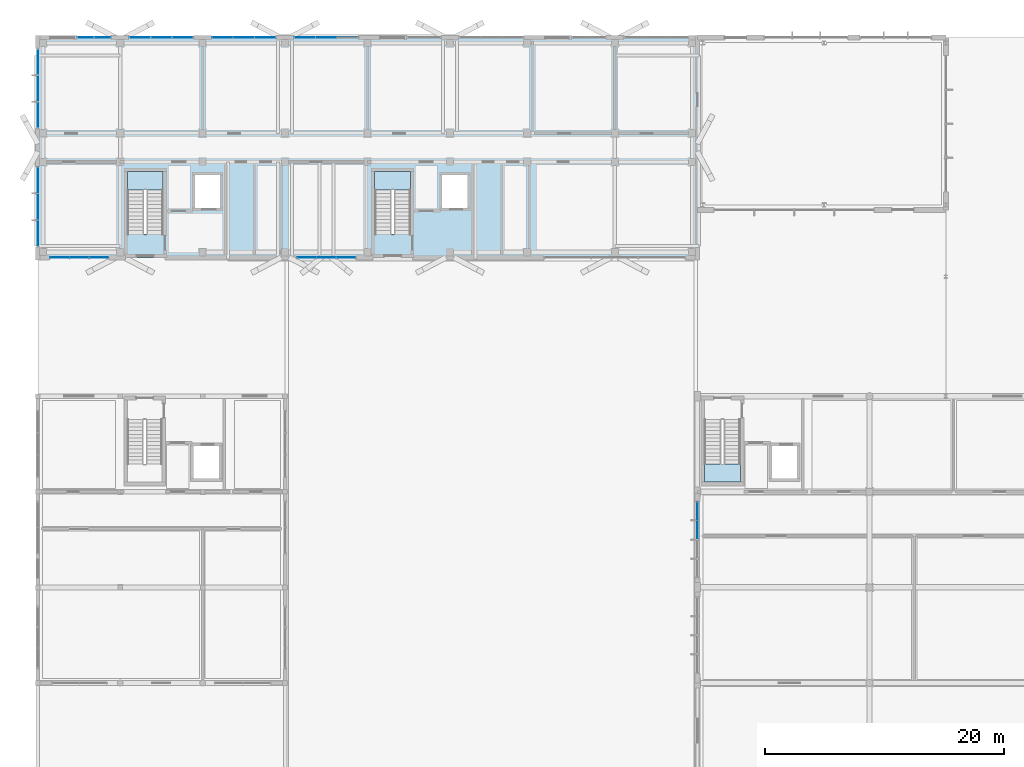
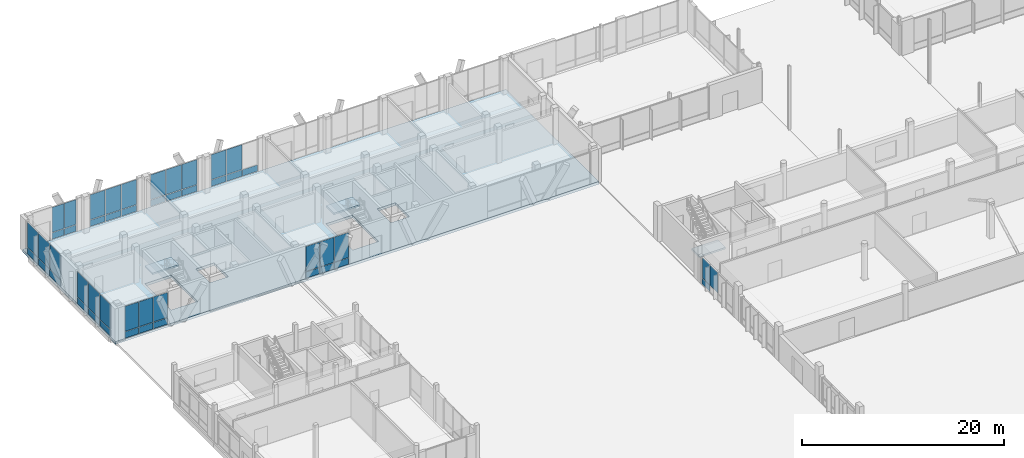
# One storey, part 182 of 233: 48 plates, 4 slabs, 12 elements without a shape of their own.
"""IFC4 building model written with IfcOpenShell, lengths in metres."""

from ifc_helpers import new_model, si_unit, direction, frame, origin, origin_2d, place, context, subcontext, project, spatial, polyline, rectangle, outline, extrude, material, layer, layer_set, type_object, element, aggregate, save


model = new_model("IFC4")

# Units and contexts
model_context = context("Model", 3, precision=1e-05, world=origin(), true_north=direction((0.0, 1.0)))
body_context = subcontext(model_context, "Body", "Model", "MODEL_VIEW")
ifc_project = project(units=[si_unit("LENGTHUNIT", "METRE"), si_unit("AREAUNIT", "SQUARE_METRE"), si_unit("VOLUMEUNIT", "CUBIC_METRE"), si_unit("PLANEANGLEUNIT", "RADIAN"), si_unit("MASSUNIT", "GRAM", prefix="KILO")], contexts=[model_context])

# Site, building, storey
site_placement = place(None, origin())
site = spatial("IfcSite", under=ifc_project, at=site_placement, CompositionType="ELEMENT")
building_placement = place(site_placement, origin())
building = spatial("IfcBuilding", under=site, at=building_placement, Name="Zavelmont Quarter", CompositionType="ELEMENT")
storey_placement = place(building_placement, origin())
storey = spatial("IfcBuildingStorey", under=building, at=storey_placement, Name="L00", CompositionType="ELEMENT", Elevation=0.0)

# Curtain wall, plates
ifc_material_1 = material(Name="Thermally broken aluminium and double low-E safety glazing", Category="aluminium")
curtain_wall_type_1 = type_object("IfcCurtainWallType", Name="CW-285X395", PredefinedType="NOTDEFINED", material=ifc_material_1)
curtain_wall_1_placement = place(storey_placement, origin())
curtain_wall_1 = element("IfcCurtainWall", 1, at=curtain_wall_1_placement, inside=storey, type_object=curtain_wall_type_1, Name="L00 unitised curtain wall CW-285X395", PredefinedType="NOTDEFINED")
ifc_material_2 = material(Name="Insulated anodised-aluminium spandrel panel", Category="aluminium")
ifc_layer_1 = layer(ifc_material_2, 0.0400390625)
ifc_layer_set_1 = layer_set([ifc_layer_1], Name="Insulated anodised-aluminium spandrel panel")
plate_type_1 = type_object("IfcPlateType", Name="CWP-SPD-1335X760", PredefinedType="CURTAIN_PANEL", material=ifc_layer_set_1)
plate_1_placement = place(storey_placement, frame((4.027587890625, 116.0, 0.06005859375), z_axis=(0.0, 0.0, 1.0), x_axis=(1.0, 0.0, 0.0)))
plate_1 = element("IfcPlate", 2, at=plate_1_placement, type_object=plate_type_1, Name="CW-285X395 panel 1.1", PredefinedType="CURTAIN_PANEL", context=body_context, shape_type="SweptSolid", body=[
    extrude(rectangle(XDim=1.3349609375, YDim=0.0400390625, at=origin_2d()), origin(), (0.0, 0.0, 1.0), 0.760009765625),
])
plate_2_placement = place(storey_placement, frame((5.422607421875, 116.0, 0.06005859375), z_axis=(0.0, 0.0, 1.0), x_axis=(1.0, 0.0, 0.0)))
plate_2 = element("IfcPlate", 3, at=plate_2_placement, type_object=plate_type_1, Name="CW-285X395 panel 2.1", PredefinedType="CURTAIN_PANEL", context=body_context, shape_type="SweptSolid", body=[
    extrude(rectangle(XDim=1.3349609375, YDim=0.0400390625, at=origin_2d()), origin(), (0.0, 0.0, 1.0), 0.760009765625),
])

# Curtain wall, plate
curtain_wall_type_2 = type_object("IfcCurtainWallType", Name="CW-640X336", PredefinedType="NOTDEFINED", material=ifc_material_1)
curtain_wall_2_placement = place(storey_placement, origin())
curtain_wall_2 = element("IfcCurtainWall", 4, at=curtain_wall_2_placement, inside=storey, type_object=curtain_wall_type_2, Name="L00 unitised curtain wall CW-640X336", PredefinedType="NOTDEFINED")
ifc_layer_2 = layer(ifc_material_2, 0.0400390625)
ifc_layer_set_2 = layer_set([ifc_layer_2], Name="Insulated anodised-aluminium spandrel panel")
plate_type_2 = type_object("IfcPlateType", Name="CWP-SPD-1495X700", PredefinedType="CURTAIN_PANEL", material=ifc_layer_set_2)
plate_3_placement = place(storey_placement, frame((55.199951171875, 76.382568359375, 0.06982421875), z_axis=(0.0, 0.0, 1.0), x_axis=(0.0, 1.0, 0.0)))
plate_3 = element("IfcPlate", 5, at=plate_3_placement, type_object=plate_type_2, Name="CW-640X336 panel 4.1", PredefinedType="CURTAIN_PANEL", context=body_context, shape_type="SweptSolid", body=[
    extrude(rectangle(XDim=1.4951171875, YDim=0.0400390625, at=origin_2d()), origin(), (0.0, 0.0, 1.0), 0.700927734375),
])

# Curtain wall, plates
curtain_wall_type_3 = type_object("IfcCurtainWallType", Name="CW-495X395", PredefinedType="NOTDEFINED", material=ifc_material_1)
curtain_wall_3_placement = place(storey_placement, origin())
curtain_wall_3 = element("IfcCurtainWall", 6, at=curtain_wall_3_placement, inside=storey, type_object=curtain_wall_type_3, Name="L00 unitised curtain wall CW-495X395", PredefinedType="NOTDEFINED")
ifc_layer_3 = layer(ifc_material_2, 0.0400390625)
ifc_layer_set_3 = layer_set([ifc_layer_3], Name="Insulated anodised-aluminium spandrel panel")
plate_type_3 = type_object("IfcPlateType", Name="CWP-SPD-1560X760", PredefinedType="CURTAIN_PANEL", material=ifc_layer_set_3)
plate_4_placement = place(storey_placement, frame((1.840087890625, 97.60009765625, 0.06005859375), z_axis=(0.0, 0.0, 1.0), x_axis=(1.0, 0.0, 0.0)))
plate_4 = element("IfcPlate", 7, at=plate_4_placement, type_object=plate_type_3, Name="CW-495X395 panel 1.1", PredefinedType="CURTAIN_PANEL", context=body_context, shape_type="SweptSolid", body=[
    extrude(rectangle(XDim=1.56005859375, YDim=0.0400390625, at=origin_2d()), origin(), (0.0, 0.0, 1.0), 0.760009765625),
])
plate_5_placement = place(storey_placement, frame((5.110107421875, 97.60009765625, 0.06005859375), z_axis=(0.0, 0.0, 1.0), x_axis=(1.0, 0.0, 0.0)))
plate_5 = element("IfcPlate", 8, at=plate_5_placement, type_object=plate_type_3, Name="CW-495X395 panel 3.1", PredefinedType="CURTAIN_PANEL", context=body_context, shape_type="SweptSolid", body=[
    extrude(rectangle(XDim=1.56005859375, YDim=0.0400390625, at=origin_2d()), origin(), (0.0, 0.0, 1.0), 0.760009765625),
])

curtain_wall_type_4 = type_object("IfcCurtainWallType", Name="CW-500X395", PredefinedType="NOTDEFINED", material=ifc_material_1)
curtain_wall_4_placement = place(storey_placement, origin())
curtain_wall_4 = element("IfcCurtainWall", 9, at=curtain_wall_4_placement, inside=storey, type_object=curtain_wall_type_4, Name="L00 unitised curtain wall CW-500X395", PredefinedType="NOTDEFINED")
ifc_layer_4 = layer(ifc_material_2, 0.0400390625)
ifc_layer_set_4 = layer_set([ifc_layer_4], Name="Insulated anodised-aluminium spandrel panel")
plate_type_4 = type_object("IfcPlateType", Name="CWP-SPD-1575X760", PredefinedType="CURTAIN_PANEL", material=ifc_layer_set_4)
plate_6_placement = place(storey_placement, frame((22.498291015625, 97.60009765625, 0.06005859375), z_axis=(0.0, 0.0, 1.0), x_axis=(1.0, 0.0, 0.0)))
plate_6 = element("IfcPlate", 10, at=plate_6_placement, type_object=plate_type_4, Name="CW-500X395 panel 1.1", PredefinedType="CURTAIN_PANEL", context=body_context, shape_type="SweptSolid", body=[
    extrude(rectangle(XDim=1.57666015625, YDim=0.0400390625, at=origin_2d()), origin(), (0.0, 0.0, 1.0), 0.760009765625),
])
plate_7_placement = place(storey_placement, frame((25.8017578125, 97.60009765625, 0.06005859375), z_axis=(0.0, 0.0, 1.0), x_axis=(1.0, 0.0, 0.0)))
plate_7 = element("IfcPlate", 11, at=plate_7_placement, type_object=plate_type_4, Name="CW-500X395 panel 3.1", PredefinedType="CURTAIN_PANEL", context=body_context, shape_type="SweptSolid", body=[
    extrude(rectangle(XDim=1.57666015625, YDim=0.0400390625, at=origin_2d()), origin(), (0.0, 0.0, 1.0), 0.760009765625),
])

# Plate
ifc_layer_5 = layer(ifc_material_2, 0.0400390625)
ifc_layer_set_5 = layer_set([ifc_layer_5], Name="Insulated anodised-aluminium spandrel panel")
plate_type_5 = type_object("IfcPlateType", Name="CWP-SPD-1590X760", PredefinedType="CURTAIN_PANEL", material=ifc_layer_set_5)
plate_8_placement = place(storey_placement, frame((3.47509765625, 97.60009765625, 0.06005859375), z_axis=(0.0, 0.0, 1.0), x_axis=(1.0, 0.0, 0.0)))
plate_8 = element("IfcPlate", 12, at=plate_8_placement, type_object=plate_type_5, Name="CW-495X395 panel 2.1", PredefinedType="CURTAIN_PANEL", context=body_context, shape_type="SweptSolid", body=[
    extrude(rectangle(XDim=1.590087890625, YDim=0.0400390625, at=origin_2d()), origin(), (0.0, 0.0, 1.0), 0.760009765625),
])

ifc_layer_6 = layer(ifc_material_2, 0.0400390625)
ifc_layer_set_6 = layer_set([ifc_layer_6], Name="Insulated anodised-aluminium spandrel panel")
plate_type_6 = type_object("IfcPlateType", Name="CWP-SPD-1605X760", PredefinedType="CURTAIN_PANEL", material=ifc_layer_set_6)
plate_9_placement = place(storey_placement, frame((24.14990234375, 97.60009765625, 0.06005859375), z_axis=(0.0, 0.0, 1.0), x_axis=(1.0, 0.0, 0.0)))
plate_9 = element("IfcPlate", 13, at=plate_9_placement, type_object=plate_type_6, Name="CW-500X395 panel 2.1", PredefinedType="CURTAIN_PANEL", context=body_context, shape_type="SweptSolid", body=[
    extrude(rectangle(XDim=1.606689453125, YDim=0.0400390625, at=origin_2d()), origin(), (0.0, 0.0, 1.0), 0.760009765625),
])

# Curtain wall, plates
curtain_wall_type_5 = type_object("IfcCurtainWallType", Name="CW-540X395", PredefinedType="NOTDEFINED", material=ifc_material_1)
curtain_wall_5_placement = place(storey_placement, origin())
curtain_wall_5 = element("IfcCurtainWall", 14, at=curtain_wall_5_placement, inside=storey, type_object=curtain_wall_type_5, Name="L00 unitised curtain wall CW-540X395", PredefinedType="NOTDEFINED")
ifc_layer_7 = layer(ifc_material_2, 0.0400390625)
ifc_layer_set_7 = layer_set([ifc_layer_7], Name="Insulated anodised-aluminium spandrel panel")
plate_type_7 = type_object("IfcPlateType", Name="CWP-SPD-1710X760", PredefinedType="CURTAIN_PANEL", material=ifc_layer_set_7)
plate_10_placement = place(storey_placement, frame((8.56494140625, 116.0, 0.06005859375), z_axis=(0.0, 0.0, 1.0), x_axis=(1.0, 0.0, 0.0)))
plate_10 = element("IfcPlate", 15, at=plate_10_placement, type_object=plate_type_7, Name="CW-540X395 panel 1.1", PredefinedType="CURTAIN_PANEL", context=body_context, shape_type="SweptSolid", body=[
    extrude(rectangle(XDim=1.7099609375, YDim=0.0400390625, at=origin_2d()), origin(), (0.0, 0.0, 1.0), 0.760009765625),
])
plate_11_placement = place(storey_placement, frame((12.135009765625, 116.0, 0.06005859375), z_axis=(0.0, 0.0, 1.0), x_axis=(1.0, 0.0, 0.0)))
plate_11 = element("IfcPlate", 16, at=plate_11_placement, type_object=plate_type_7, Name="CW-540X395 panel 3.1", PredefinedType="CURTAIN_PANEL", context=body_context, shape_type="SweptSolid", body=[
    extrude(rectangle(XDim=1.7099609375, YDim=0.0400390625, at=origin_2d()), origin(), (0.0, 0.0, 1.0), 0.760009765625),
])

curtain_wall_6_placement = place(storey_placement, origin())
curtain_wall_6 = element("IfcCurtainWall", 17, at=curtain_wall_6_placement, inside=storey, type_object=curtain_wall_type_5, Name="L00 unitised curtain wall CW-540X395", PredefinedType="NOTDEFINED")
plate_12_placement = place(storey_placement, frame((15.465087890625, 116.0, 0.06005859375), z_axis=(0.0, 0.0, 1.0), x_axis=(1.0, 0.0, 0.0)))
plate_12 = element("IfcPlate", 18, at=plate_12_placement, type_object=plate_type_7, Name="CW-540X395 panel 1.1", PredefinedType="CURTAIN_PANEL", context=body_context, shape_type="SweptSolid", body=[
    extrude(rectangle(XDim=1.7099609375, YDim=0.0400390625, at=origin_2d()), origin(), (0.0, 0.0, 1.0), 0.760009765625),
])
plate_13_placement = place(storey_placement, frame((19.034912109375, 116.0, 0.06005859375), z_axis=(0.0, 0.0, 1.0), x_axis=(1.0, 0.0, 0.0)))
plate_13 = element("IfcPlate", 19, at=plate_13_placement, type_object=plate_type_7, Name="CW-540X395 panel 3.1", PredefinedType="CURTAIN_PANEL", context=body_context, shape_type="SweptSolid", body=[
    extrude(rectangle(XDim=1.7099609375, YDim=0.0400390625, at=origin_2d()), origin(), (0.0, 0.0, 1.0), 0.760009765625),
])

curtain_wall_7_placement = place(storey_placement, origin())
curtain_wall_7 = element("IfcCurtainWall", 20, at=curtain_wall_7_placement, inside=storey, type_object=curtain_wall_type_5, Name="L00 unitised curtain wall CW-540X395", PredefinedType="NOTDEFINED")
plate_14_placement = place(storey_placement, frame((22.364990234375, 116.0, 0.06005859375), z_axis=(0.0, 0.0, 1.0), x_axis=(1.0, 0.0, 0.0)))
plate_14 = element("IfcPlate", 21, at=plate_14_placement, type_object=plate_type_7, Name="CW-540X395 panel 1.1", PredefinedType="CURTAIN_PANEL", context=body_context, shape_type="SweptSolid", body=[
    extrude(rectangle(XDim=1.7099609375, YDim=0.0400390625, at=origin_2d()), origin(), (0.0, 0.0, 1.0), 0.760009765625),
])
plate_15_placement = place(storey_placement, frame((25.93505859375, 116.0, 0.06005859375), z_axis=(0.0, 0.0, 1.0), x_axis=(1.0, 0.0, 0.0)))
plate_15 = element("IfcPlate", 22, at=plate_15_placement, type_object=plate_type_7, Name="CW-540X395 panel 3.1", PredefinedType="CURTAIN_PANEL", context=body_context, shape_type="SweptSolid", body=[
    extrude(rectangle(XDim=1.7099609375, YDim=0.0400390625, at=origin_2d()), origin(), (0.0, 0.0, 1.0), 0.760009765625),
])

# Plate
ifc_layer_8 = layer(ifc_material_2, 0.0400390625)
ifc_layer_set_8 = layer_set([ifc_layer_8], Name="Insulated anodised-aluminium spandrel panel")
plate_type_8 = type_object("IfcPlateType", Name="CWP-SPD-1740X760", PredefinedType="CURTAIN_PANEL", material=ifc_layer_set_8)
plate_16_placement = place(storey_placement, frame((10.35009765625, 116.0, 0.06005859375), z_axis=(0.0, 0.0, 1.0), x_axis=(1.0, 0.0, 0.0)))
plate_16 = element("IfcPlate", 23, at=plate_16_placement, type_object=plate_type_8, Name="CW-540X395 panel 2.1", PredefinedType="CURTAIN_PANEL", context=body_context, shape_type="SweptSolid", body=[
    extrude(rectangle(XDim=1.739990234375, YDim=0.0400390625, at=origin_2d()), origin(), (0.0, 0.0, 1.0), 0.760009765625),
])

plate_17_placement = place(storey_placement, frame((17.25, 116.0, 0.06005859375), z_axis=(0.0, 0.0, 1.0), x_axis=(1.0, 0.0, 0.0)))
plate_17 = element("IfcPlate", 24, at=plate_17_placement, type_object=plate_type_8, Name="CW-540X395 panel 2.1", PredefinedType="CURTAIN_PANEL", context=body_context, shape_type="SweptSolid", body=[
    extrude(rectangle(XDim=1.739990234375, YDim=0.0400390625, at=origin_2d()), origin(), (0.0, 0.0, 1.0), 0.760009765625),
])

plate_18_placement = place(storey_placement, frame((24.14990234375, 116.0, 0.06005859375), z_axis=(0.0, 0.0, 1.0), x_axis=(1.0, 0.0, 0.0)))
plate_18 = element("IfcPlate", 25, at=plate_18_placement, type_object=plate_type_8, Name="CW-540X395 panel 2.1", PredefinedType="CURTAIN_PANEL", context=body_context, shape_type="SweptSolid", body=[
    extrude(rectangle(XDim=1.739990234375, YDim=0.0400390625, at=origin_2d()), origin(), (0.0, 0.0, 1.0), 0.760009765625),
])

# Curtain wall, plates
curtain_wall_type_6 = type_object("IfcCurtainWallType", Name="CW-670X395", PredefinedType="NOTDEFINED", material=ifc_material_1)
curtain_wall_8_placement = place(storey_placement, origin())
curtain_wall_8 = element("IfcCurtainWall", 26, at=curtain_wall_8_placement, inside=storey, type_object=curtain_wall_type_6, Name="L00 unitised curtain wall CW-670X395", PredefinedType="NOTDEFINED")
ifc_layer_9 = layer(ifc_material_2, 0.0400390625)
ifc_layer_set_9 = layer_set([ifc_layer_9], Name="Insulated anodised-aluminium spandrel panel")
plate_type_9 = type_object("IfcPlateType", Name="CWP-SPD-2145X760", PredefinedType="CURTAIN_PANEL", material=ifc_layer_set_9)
plate_19_placement = place(storey_placement, frame((0.0, 99.631591796875, 0.06005859375), z_axis=(0.0, 0.0, 1.0), x_axis=(0.0, 1.0, 0.0)))
plate_19 = element("IfcPlate", 27, at=plate_19_placement, type_object=plate_type_9, Name="CW-670X395 panel 1.1", PredefinedType="CURTAIN_PANEL", context=body_context, shape_type="SweptSolid", body=[
    extrude(rectangle(XDim=2.143310546875, YDim=0.0400390625, at=origin_2d()), origin(), (0.0, 0.0, 1.0), 0.760009765625),
])
plate_20_placement = place(storey_placement, frame((0.0, 104.068359375, 0.06005859375), z_axis=(0.0, 0.0, 1.0), x_axis=(0.0, 1.0, 0.0)))
plate_20 = element("IfcPlate", 28, at=plate_20_placement, type_object=plate_type_9, Name="CW-670X395 panel 3.1", PredefinedType="CURTAIN_PANEL", context=body_context, shape_type="SweptSolid", body=[
    extrude(rectangle(XDim=2.143310546875, YDim=0.0400390625, at=origin_2d()), origin(), (0.0, 0.0, 1.0), 0.760009765625),
])

curtain_wall_9_placement = place(storey_placement, origin())
curtain_wall_9 = element("IfcCurtainWall", 29, at=curtain_wall_9_placement, inside=storey, type_object=curtain_wall_type_6, Name="L00 unitised curtain wall CW-670X395", PredefinedType="NOTDEFINED")
plate_21_placement = place(storey_placement, frame((0.0, 109.53173828125, 0.06005859375), z_axis=(0.0, 0.0, 1.0), x_axis=(0.0, 1.0, 0.0)))
plate_21 = element("IfcPlate", 30, at=plate_21_placement, type_object=plate_type_9, Name="CW-670X395 panel 1.1", PredefinedType="CURTAIN_PANEL", context=body_context, shape_type="SweptSolid", body=[
    extrude(rectangle(XDim=2.143310546875, YDim=0.0400390625, at=origin_2d()), origin(), (0.0, 0.0, 1.0), 0.760009765625),
])
plate_22_placement = place(storey_placement, frame((0.0, 113.96826171875, 0.06005859375), z_axis=(0.0, 0.0, 1.0), x_axis=(0.0, 1.0, 0.0)))
plate_22 = element("IfcPlate", 31, at=plate_22_placement, type_object=plate_type_9, Name="CW-670X395 panel 3.1", PredefinedType="CURTAIN_PANEL", context=body_context, shape_type="SweptSolid", body=[
    extrude(rectangle(XDim=2.143310546875, YDim=0.0400390625, at=origin_2d()), origin(), (0.0, 0.0, 1.0), 0.760009765625),
])

# Plate
ifc_layer_10 = layer(ifc_material_2, 0.0400390625)
ifc_layer_set_10 = layer_set([ifc_layer_10], Name="Insulated anodised-aluminium spandrel panel")
plate_type_10 = type_object("IfcPlateType", Name="CWP-SPD-2175X760", PredefinedType="CURTAIN_PANEL", material=ifc_layer_set_10)
plate_23_placement = place(storey_placement, frame((0.0, 101.85009765625, 0.06005859375), z_axis=(0.0, 0.0, 1.0), x_axis=(0.0, 1.0, 0.0)))
plate_23 = element("IfcPlate", 32, at=plate_23_placement, type_object=plate_type_10, Name="CW-670X395 panel 2.1", PredefinedType="CURTAIN_PANEL", context=body_context, shape_type="SweptSolid", body=[
    extrude(rectangle(XDim=2.17333984375, YDim=0.0400390625, at=origin_2d()), origin(), (0.0, 0.0, 1.0), 0.760009765625),
])

plate_24_placement = place(storey_placement, frame((0.0, 111.75, 0.06005859375), z_axis=(0.0, 0.0, 1.0), x_axis=(0.0, 1.0, 0.0)))
plate_24 = element("IfcPlate", 33, at=plate_24_placement, type_object=plate_type_10, Name="CW-670X395 panel 2.1", PredefinedType="CURTAIN_PANEL", context=body_context, shape_type="SweptSolid", body=[
    extrude(rectangle(XDim=2.17333984375, YDim=0.0400390625, at=origin_2d()), origin(), (0.0, 0.0, 1.0), 0.760009765625),
])

ifc_material_3 = material(Name="Double low-E insulated vision glass", Category="glass")
ifc_layer_11 = layer(ifc_material_3, 0.028076171875)
ifc_layer_set_11 = layer_set([ifc_layer_11], Name="Double low-E insulated vision glass")
plate_type_11 = type_object("IfcPlateType", Name="CWP-VIS-1335X3010", PredefinedType="CURTAIN_PANEL", material=ifc_layer_set_11)
plate_25_placement = place(storey_placement, frame((4.027587890625, 116.0, 0.8798828125), z_axis=(0.0, 0.0, 1.0), x_axis=(1.0, 0.0, 0.0)))
plate_25 = element("IfcPlate", 34, at=plate_25_placement, type_object=plate_type_11, Name="CW-285X395 panel 1.2", PredefinedType="CURTAIN_PANEL", context=body_context, shape_type="SweptSolid", body=[
    extrude(rectangle(XDim=1.3349609375, YDim=0.028076171875, at=origin_2d()), origin(), (0.0, 0.0, 1.0), 3.010009765625),
])

plate_26_placement = place(storey_placement, frame((5.422607421875, 116.0, 0.8798828125), z_axis=(0.0, 0.0, 1.0), x_axis=(1.0, 0.0, 0.0)))
plate_26 = element("IfcPlate", 35, at=plate_26_placement, type_object=plate_type_11, Name="CW-285X395 panel 2.2", PredefinedType="CURTAIN_PANEL", context=body_context, shape_type="SweptSolid", body=[
    extrude(rectangle(XDim=1.3349609375, YDim=0.028076171875, at=origin_2d()), origin(), (0.0, 0.0, 1.0), 3.010009765625),
])

aggregate(curtain_wall_1, [plate_1, plate_25, plate_2, plate_26])

ifc_layer_12 = layer(ifc_material_3, 0.028076171875)
ifc_layer_set_12 = layer_set([ifc_layer_12], Name="Double low-E insulated vision glass")
plate_type_12 = type_object("IfcPlateType", Name="CWP-VIS-1495X2450", PredefinedType="CURTAIN_PANEL", material=ifc_layer_set_12)
plate_27_placement = place(storey_placement, frame((55.199951171875, 76.382568359375, 0.8408203125), z_axis=(0.0, 0.0, 1.0), x_axis=(0.0, 1.0, 0.0)))
plate_27 = element("IfcPlate", 36, at=plate_27_placement, type_object=plate_type_12, Name="CW-640X336 panel 4.2", PredefinedType="CURTAIN_PANEL", context=body_context, shape_type="SweptSolid", body=[
    extrude(rectangle(XDim=1.4951171875, YDim=0.028076171875, at=origin_2d()), origin(), (0.0, 0.0, 1.0), 2.448974609375),
])

ifc_layer_13 = layer(ifc_material_3, 0.028076171875)
ifc_layer_set_13 = layer_set([ifc_layer_13], Name="Double low-E insulated vision glass")
plate_type_13 = type_object("IfcPlateType", Name="CWP-VIS-1530X2450", PredefinedType="CURTAIN_PANEL", material=ifc_layer_set_13)
plate_28_placement = place(storey_placement, frame((55.199951171875, 74.800048828125, 0.8408203125), z_axis=(0.0, 0.0, 1.0), x_axis=(0.0, 1.0, 0.0)))
plate_28 = element("IfcPlate", 37, at=plate_28_placement, type_object=plate_type_13, Name="CW-640X336 panel 3.2", PredefinedType="CURTAIN_PANEL", context=body_context, shape_type="SweptSolid", body=[
    extrude(rectangle(XDim=1.530029296875, YDim=0.028076171875, at=origin_2d()), origin(), (0.0, 0.0, 1.0), 2.448974609375),
])

aggregate(curtain_wall_2, [plate_28, plate_3, plate_27])

ifc_layer_14 = layer(ifc_material_3, 0.028076171875)
ifc_layer_set_14 = layer_set([ifc_layer_14], Name="Double low-E insulated vision glass")
plate_type_14 = type_object("IfcPlateType", Name="CWP-VIS-1560X3010", PredefinedType="CURTAIN_PANEL", material=ifc_layer_set_14)
plate_29_placement = place(storey_placement, frame((1.840087890625, 97.60009765625, 0.8798828125), z_axis=(0.0, 0.0, 1.0), x_axis=(1.0, 0.0, 0.0)))
plate_29 = element("IfcPlate", 38, at=plate_29_placement, type_object=plate_type_14, Name="CW-495X395 panel 1.2", PredefinedType="CURTAIN_PANEL", context=body_context, shape_type="SweptSolid", body=[
    extrude(rectangle(XDim=1.56005859375, YDim=0.028076171875, at=origin_2d()), origin(), (0.0, 0.0, 1.0), 3.010009765625),
])

plate_30_placement = place(storey_placement, frame((5.110107421875, 97.60009765625, 0.8798828125), z_axis=(0.0, 0.0, 1.0), x_axis=(1.0, 0.0, 0.0)))
plate_30 = element("IfcPlate", 39, at=plate_30_placement, type_object=plate_type_14, Name="CW-495X395 panel 3.2", PredefinedType="CURTAIN_PANEL", context=body_context, shape_type="SweptSolid", body=[
    extrude(rectangle(XDim=1.56005859375, YDim=0.028076171875, at=origin_2d()), origin(), (0.0, 0.0, 1.0), 3.010009765625),
])

ifc_layer_15 = layer(ifc_material_3, 0.028076171875)
ifc_layer_set_15 = layer_set([ifc_layer_15], Name="Double low-E insulated vision glass")
plate_type_15 = type_object("IfcPlateType", Name="CWP-VIS-1575X3010", PredefinedType="CURTAIN_PANEL", material=ifc_layer_set_15)
plate_31_placement = place(storey_placement, frame((22.498291015625, 97.60009765625, 0.8798828125), z_axis=(0.0, 0.0, 1.0), x_axis=(1.0, 0.0, 0.0)))
plate_31 = element("IfcPlate", 40, at=plate_31_placement, type_object=plate_type_15, Name="CW-500X395 panel 1.2", PredefinedType="CURTAIN_PANEL", context=body_context, shape_type="SweptSolid", body=[
    extrude(rectangle(XDim=1.57666015625, YDim=0.028076171875, at=origin_2d()), origin(), (0.0, 0.0, 1.0), 3.010009765625),
])

plate_32_placement = place(storey_placement, frame((25.8017578125, 97.60009765625, 0.8798828125), z_axis=(0.0, 0.0, 1.0), x_axis=(1.0, 0.0, 0.0)))
plate_32 = element("IfcPlate", 41, at=plate_32_placement, type_object=plate_type_15, Name="CW-500X395 panel 3.2", PredefinedType="CURTAIN_PANEL", context=body_context, shape_type="SweptSolid", body=[
    extrude(rectangle(XDim=1.57666015625, YDim=0.028076171875, at=origin_2d()), origin(), (0.0, 0.0, 1.0), 3.010009765625),
])

ifc_layer_16 = layer(ifc_material_3, 0.028076171875)
ifc_layer_set_16 = layer_set([ifc_layer_16], Name="Double low-E insulated vision glass")
plate_type_16 = type_object("IfcPlateType", Name="CWP-VIS-1590X3010", PredefinedType="CURTAIN_PANEL", material=ifc_layer_set_16)
plate_33_placement = place(storey_placement, frame((3.47509765625, 97.60009765625, 0.8798828125), z_axis=(0.0, 0.0, 1.0), x_axis=(1.0, 0.0, 0.0)))
plate_33 = element("IfcPlate", 42, at=plate_33_placement, type_object=plate_type_16, Name="CW-495X395 panel 2.2", PredefinedType="CURTAIN_PANEL", context=body_context, shape_type="SweptSolid", body=[
    extrude(rectangle(XDim=1.590087890625, YDim=0.028076171875, at=origin_2d()), origin(), (0.0, 0.0, 1.0), 3.010009765625),
])

aggregate(curtain_wall_3, [plate_4, plate_29, plate_8, plate_33, plate_5, plate_30])

ifc_layer_17 = layer(ifc_material_3, 0.028076171875)
ifc_layer_set_17 = layer_set([ifc_layer_17], Name="Double low-E insulated vision glass")
plate_type_17 = type_object("IfcPlateType", Name="CWP-VIS-1605X3010", PredefinedType="CURTAIN_PANEL", material=ifc_layer_set_17)
plate_34_placement = place(storey_placement, frame((24.14990234375, 97.60009765625, 0.8798828125), z_axis=(0.0, 0.0, 1.0), x_axis=(1.0, 0.0, 0.0)))
plate_34 = element("IfcPlate", 43, at=plate_34_placement, type_object=plate_type_17, Name="CW-500X395 panel 2.2", PredefinedType="CURTAIN_PANEL", context=body_context, shape_type="SweptSolid", body=[
    extrude(rectangle(XDim=1.606689453125, YDim=0.028076171875, at=origin_2d()), origin(), (0.0, 0.0, 1.0), 3.010009765625),
])

aggregate(curtain_wall_4, [plate_6, plate_31, plate_9, plate_34, plate_7, plate_32])

ifc_layer_18 = layer(ifc_material_3, 0.028076171875)
ifc_layer_set_18 = layer_set([ifc_layer_18], Name="Double low-E insulated vision glass")
plate_type_18 = type_object("IfcPlateType", Name="CWP-VIS-1710X3010", PredefinedType="CURTAIN_PANEL", material=ifc_layer_set_18)
plate_35_placement = place(storey_placement, frame((8.56494140625, 116.0, 0.8798828125), z_axis=(0.0, 0.0, 1.0), x_axis=(1.0, 0.0, 0.0)))
plate_35 = element("IfcPlate", 44, at=plate_35_placement, type_object=plate_type_18, Name="CW-540X395 panel 1.2", PredefinedType="CURTAIN_PANEL", context=body_context, shape_type="SweptSolid", body=[
    extrude(rectangle(XDim=1.7099609375, YDim=0.028076171875, at=origin_2d()), origin(), (0.0, 0.0, 1.0), 3.010009765625),
])

plate_36_placement = place(storey_placement, frame((12.135009765625, 116.0, 0.8798828125), z_axis=(0.0, 0.0, 1.0), x_axis=(1.0, 0.0, 0.0)))
plate_36 = element("IfcPlate", 45, at=plate_36_placement, type_object=plate_type_18, Name="CW-540X395 panel 3.2", PredefinedType="CURTAIN_PANEL", context=body_context, shape_type="SweptSolid", body=[
    extrude(rectangle(XDim=1.7099609375, YDim=0.028076171875, at=origin_2d()), origin(), (0.0, 0.0, 1.0), 3.010009765625),
])

plate_37_placement = place(storey_placement, frame((15.465087890625, 116.0, 0.8798828125), z_axis=(0.0, 0.0, 1.0), x_axis=(1.0, 0.0, 0.0)))
plate_37 = element("IfcPlate", 46, at=plate_37_placement, type_object=plate_type_18, Name="CW-540X395 panel 1.2", PredefinedType="CURTAIN_PANEL", context=body_context, shape_type="SweptSolid", body=[
    extrude(rectangle(XDim=1.7099609375, YDim=0.028076171875, at=origin_2d()), origin(), (0.0, 0.0, 1.0), 3.010009765625),
])

plate_38_placement = place(storey_placement, frame((19.034912109375, 116.0, 0.8798828125), z_axis=(0.0, 0.0, 1.0), x_axis=(1.0, 0.0, 0.0)))
plate_38 = element("IfcPlate", 47, at=plate_38_placement, type_object=plate_type_18, Name="CW-540X395 panel 3.2", PredefinedType="CURTAIN_PANEL", context=body_context, shape_type="SweptSolid", body=[
    extrude(rectangle(XDim=1.7099609375, YDim=0.028076171875, at=origin_2d()), origin(), (0.0, 0.0, 1.0), 3.010009765625),
])

plate_39_placement = place(storey_placement, frame((22.364990234375, 116.0, 0.8798828125), z_axis=(0.0, 0.0, 1.0), x_axis=(1.0, 0.0, 0.0)))
plate_39 = element("IfcPlate", 48, at=plate_39_placement, type_object=plate_type_18, Name="CW-540X395 panel 1.2", PredefinedType="CURTAIN_PANEL", context=body_context, shape_type="SweptSolid", body=[
    extrude(rectangle(XDim=1.7099609375, YDim=0.028076171875, at=origin_2d()), origin(), (0.0, 0.0, 1.0), 3.010009765625),
])

ifc_layer_19 = layer(ifc_material_3, 0.028076171875)
ifc_layer_set_19 = layer_set([ifc_layer_19], Name="Double low-E insulated vision glass")
plate_type_19 = type_object("IfcPlateType", Name="CWP-VIS-1740X3010", PredefinedType="CURTAIN_PANEL", material=ifc_layer_set_19)
plate_40_placement = place(storey_placement, frame((10.35009765625, 116.0, 0.8798828125), z_axis=(0.0, 0.0, 1.0), x_axis=(1.0, 0.0, 0.0)))
plate_40 = element("IfcPlate", 49, at=plate_40_placement, type_object=plate_type_19, Name="CW-540X395 panel 2.2", PredefinedType="CURTAIN_PANEL", context=body_context, shape_type="SweptSolid", body=[
    extrude(rectangle(XDim=1.739990234375, YDim=0.028076171875, at=origin_2d()), origin(), (0.0, 0.0, 1.0), 3.010009765625),
])

aggregate(curtain_wall_5, [plate_10, plate_35, plate_16, plate_40, plate_11, plate_36])

plate_41_placement = place(storey_placement, frame((17.25, 116.0, 0.8798828125), z_axis=(0.0, 0.0, 1.0), x_axis=(1.0, 0.0, 0.0)))
plate_41 = element("IfcPlate", 50, at=plate_41_placement, type_object=plate_type_19, Name="CW-540X395 panel 2.2", PredefinedType="CURTAIN_PANEL", context=body_context, shape_type="SweptSolid", body=[
    extrude(rectangle(XDim=1.739990234375, YDim=0.028076171875, at=origin_2d()), origin(), (0.0, 0.0, 1.0), 3.010009765625),
])

aggregate(curtain_wall_6, [plate_12, plate_37, plate_17, plate_41, plate_13, plate_38])

plate_42_placement = place(storey_placement, frame((24.14990234375, 116.0, 0.8798828125), z_axis=(0.0, 0.0, 1.0), x_axis=(1.0, 0.0, 0.0)))
plate_42 = element("IfcPlate", 51, at=plate_42_placement, type_object=plate_type_19, Name="CW-540X395 panel 2.2", PredefinedType="CURTAIN_PANEL", context=body_context, shape_type="SweptSolid", body=[
    extrude(rectangle(XDim=1.739990234375, YDim=0.028076171875, at=origin_2d()), origin(), (0.0, 0.0, 1.0), 3.010009765625),
])

aggregate(curtain_wall_7, [plate_14, plate_39, plate_18, plate_42, plate_15])

ifc_layer_20 = layer(ifc_material_3, 0.028076171875)
ifc_layer_set_20 = layer_set([ifc_layer_20], Name="Double low-E insulated vision glass")
plate_type_20 = type_object("IfcPlateType", Name="CWP-VIS-2145X3010", PredefinedType="CURTAIN_PANEL", material=ifc_layer_set_20)
plate_43_placement = place(storey_placement, frame((0.0, 99.631591796875, 0.8798828125), z_axis=(0.0, 0.0, 1.0), x_axis=(0.0, 1.0, 0.0)))
plate_43 = element("IfcPlate", 52, at=plate_43_placement, type_object=plate_type_20, Name="CW-670X395 panel 1.2", PredefinedType="CURTAIN_PANEL", context=body_context, shape_type="SweptSolid", body=[
    extrude(rectangle(XDim=2.143310546875, YDim=0.028076171875, at=origin_2d()), origin(), (0.0, 0.0, 1.0), 3.010009765625),
])

plate_44_placement = place(storey_placement, frame((0.0, 104.068359375, 0.8798828125), z_axis=(0.0, 0.0, 1.0), x_axis=(0.0, 1.0, 0.0)))
plate_44 = element("IfcPlate", 53, at=plate_44_placement, type_object=plate_type_20, Name="CW-670X395 panel 3.2", PredefinedType="CURTAIN_PANEL", context=body_context, shape_type="SweptSolid", body=[
    extrude(rectangle(XDim=2.143310546875, YDim=0.028076171875, at=origin_2d()), origin(), (0.0, 0.0, 1.0), 3.010009765625),
])

plate_45_placement = place(storey_placement, frame((0.0, 109.53173828125, 0.8798828125), z_axis=(0.0, 0.0, 1.0), x_axis=(0.0, 1.0, 0.0)))
plate_45 = element("IfcPlate", 54, at=plate_45_placement, type_object=plate_type_20, Name="CW-670X395 panel 1.2", PredefinedType="CURTAIN_PANEL", context=body_context, shape_type="SweptSolid", body=[
    extrude(rectangle(XDim=2.143310546875, YDim=0.028076171875, at=origin_2d()), origin(), (0.0, 0.0, 1.0), 3.010009765625),
])

plate_46_placement = place(storey_placement, frame((0.0, 113.96826171875, 0.8798828125), z_axis=(0.0, 0.0, 1.0), x_axis=(0.0, 1.0, 0.0)))
plate_46 = element("IfcPlate", 55, at=plate_46_placement, type_object=plate_type_20, Name="CW-670X395 panel 3.2", PredefinedType="CURTAIN_PANEL", context=body_context, shape_type="SweptSolid", body=[
    extrude(rectangle(XDim=2.143310546875, YDim=0.028076171875, at=origin_2d()), origin(), (0.0, 0.0, 1.0), 3.010009765625),
])

ifc_layer_21 = layer(ifc_material_3, 0.028076171875)
ifc_layer_set_21 = layer_set([ifc_layer_21], Name="Double low-E insulated vision glass")
plate_type_21 = type_object("IfcPlateType", Name="CWP-VIS-2175X3010", PredefinedType="CURTAIN_PANEL", material=ifc_layer_set_21)
plate_47_placement = place(storey_placement, frame((0.0, 101.85009765625, 0.8798828125), z_axis=(0.0, 0.0, 1.0), x_axis=(0.0, 1.0, 0.0)))
plate_47 = element("IfcPlate", 56, at=plate_47_placement, type_object=plate_type_21, Name="CW-670X395 panel 2.2", PredefinedType="CURTAIN_PANEL", context=body_context, shape_type="SweptSolid", body=[
    extrude(rectangle(XDim=2.17333984375, YDim=0.028076171875, at=origin_2d()), origin(), (0.0, 0.0, 1.0), 3.010009765625),
])

aggregate(curtain_wall_8, [plate_19, plate_43, plate_23, plate_47, plate_20, plate_44])

plate_48_placement = place(storey_placement, frame((0.0, 111.75, 0.8798828125), z_axis=(0.0, 0.0, 1.0), x_axis=(0.0, 1.0, 0.0)))
plate_48 = element("IfcPlate", 57, at=plate_48_placement, type_object=plate_type_21, Name="CW-670X395 panel 2.2", PredefinedType="CURTAIN_PANEL", context=body_context, shape_type="SweptSolid", body=[
    extrude(rectangle(XDim=2.17333984375, YDim=0.028076171875, at=origin_2d()), origin(), (0.0, 0.0, 1.0), 3.010009765625),
])

aggregate(curtain_wall_9, [plate_21, plate_45, plate_24, plate_48, plate_22, plate_46])

# Slab
ifc_material_4 = material(Name="Concrete C40/50", Category="concrete")
ifc_layer_22 = layer(ifc_material_4, 0.320068359375)
ifc_layer_set_22 = layer_set([ifc_layer_22], Name="Concrete C40/50")
slab_type_1 = type_object("IfcSlabType", Name="SL-FL320", PredefinedType="FLOOR", material=ifc_layer_set_22)
slab_1_placement = place(storey_placement, frame((0.0, 0.0, -0.320068359375)))
element("IfcSlab", 58, at=slab_1_placement, inside=storey, type_object=slab_type_1, Name="L00 Block B floor slab SL-FL320", PredefinedType="FLOOR", context=body_context, shape_type="SweptSolid", body=[
    extrude(outline(polyline([(0.0, 97.60009765625), (55.199951171875, 97.60009765625), (55.199951171875, 116.0), (0.0, 116.0), (0.0, 97.60009765625)]), holes=[polyline([(10.5, 99.574951171875), (10.5, 104.800048828125), (7.5, 104.800048828125), (7.5, 99.574951171875), (10.5, 99.574951171875)]), polyline([(13.14990234375, 101.75), (15.25, 101.75), (15.25, 104.5), (13.14990234375, 104.5), (13.14990234375, 101.75)]), polyline([(31.199951171875, 99.574951171875), (31.199951171875, 104.800048828125), (28.199951171875, 104.800048828125), (28.199951171875, 99.574951171875), (31.199951171875, 99.574951171875)]), polyline([(33.85009765625, 101.75), (35.949951171875, 101.75), (35.949951171875, 104.5), (33.85009765625, 104.5), (33.85009765625, 101.75)])]), origin(), (0.0, 0.0, 1.0), 0.320068359375),
])

# Stair, slab
ifc_material_5 = material(Name="Concrete C35/45", Category="concrete")
stair_type = type_object("IfcStairType", Name="STR-1400-1692", PredefinedType="HALF_TURN_STAIR", material=ifc_material_5)
stair_1_placement = place(storey_placement, origin())
stair_1 = element("IfcStair", 59, at=stair_1_placement, inside=storey, type_object=stair_type, Name="L00 protected stair ST03", PredefinedType="HALF_TURN_STAIR")
ifc_layer_23 = layer(ifc_material_5, 0.199951171875)
ifc_layer_set_23 = layer_set([ifc_layer_23], Name="Concrete C35/45")
slab_type_2 = type_object("IfcSlabType", Name="SL-LND200", PredefinedType="LANDING", material=ifc_layer_set_23)
slab_2_placement = place(storey_placement, frame((0.0, 0.0, 2.0)))
slab_2 = element("IfcSlab", 60, at=slab_2_placement, type_object=slab_type_2, Name="ST03 landing 1", PredefinedType="LANDING", context=body_context, shape_type="SweptSolid", body=[
    extrude(outline(polyline([(10.5, 103.27001953125), (10.5, 104.800048828125), (7.5, 104.800048828125), (7.5, 103.27001953125), (10.5, 103.27001953125)])), origin(), (0.0, 0.0, 1.0), 0.199951171875),
])
aggregate(stair_1, [slab_2])

stair_2_placement = place(storey_placement, origin())
stair_2 = element("IfcStair", 61, at=stair_2_placement, inside=storey, type_object=stair_type, Name="L00 protected stair ST04", PredefinedType="HALF_TURN_STAIR")
slab_3_placement = place(storey_placement, frame((0.0, 0.0, 2.0)))
slab_3 = element("IfcSlab", 62, at=slab_3_placement, type_object=slab_type_2, Name="ST04 landing 1", PredefinedType="LANDING", context=body_context, shape_type="SweptSolid", body=[
    extrude(outline(polyline([(31.199951171875, 103.27001953125), (31.199951171875, 104.800048828125), (28.199951171875, 104.800048828125), (28.199951171875, 103.27001953125), (31.199951171875, 103.27001953125)])), origin(), (0.0, 0.0, 1.0), 0.199951171875),
])
aggregate(stair_2, [slab_3])

stair_3_placement = place(storey_placement, origin())
stair_3 = element("IfcStair", 63, at=stair_3_placement, inside=storey, type_object=stair_type, Name="L00 protected stair ST09", PredefinedType="HALF_TURN_STAIR")
slab_4_placement = place(storey_placement, frame((0.0, 0.0, 2.0)))
slab_4 = element("IfcSlab", 64, at=slab_4_placement, type_object=slab_type_2, Name="ST09 landing 1", PredefinedType="LANDING", context=body_context, shape_type="SweptSolid", body=[
    extrude(outline(polyline([(55.800048828125, 80.330078125), (55.800048828125, 78.800048828125), (58.800048828125, 78.800048828125), (58.800048828125, 80.330078125), (55.800048828125, 80.330078125)])), origin(), (0.0, 0.0, 1.0), 0.199951171875),
])
aggregate(stair_3, [slab_4])

save(model, "model.ifc")
